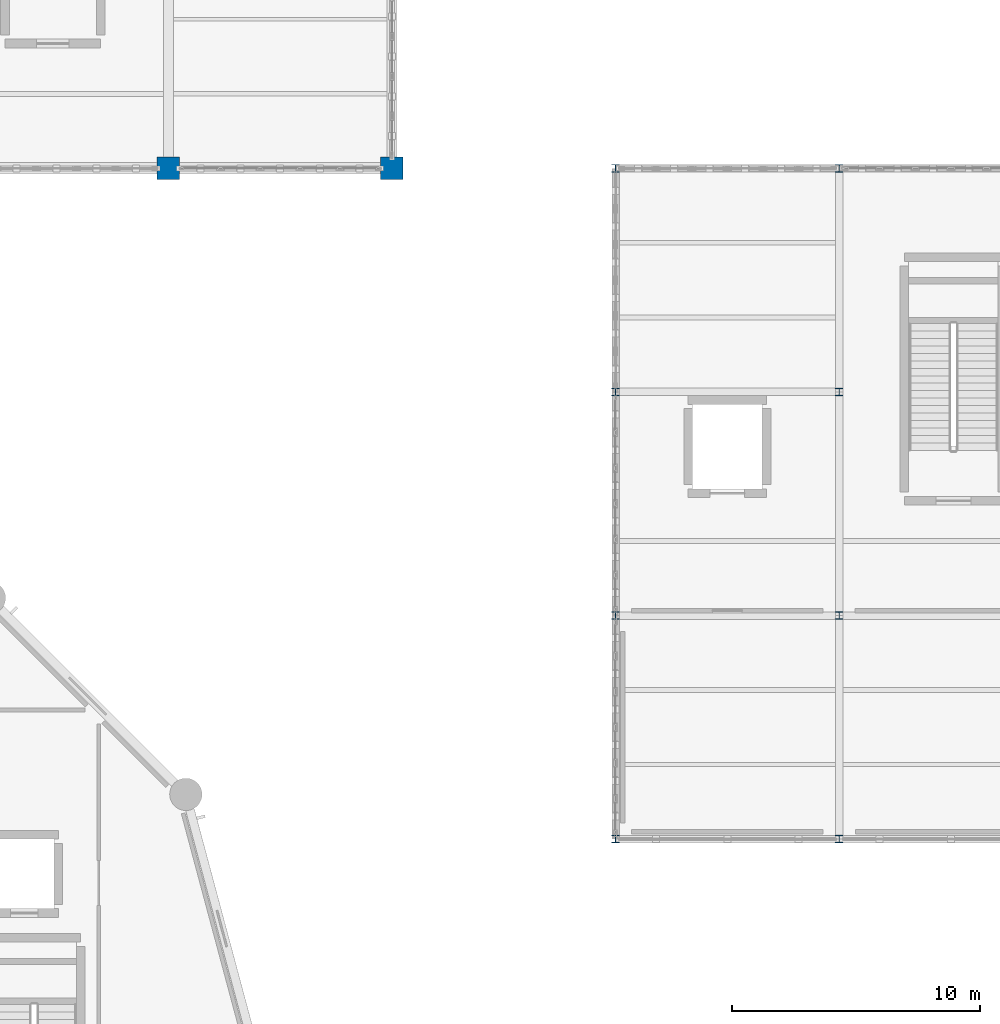
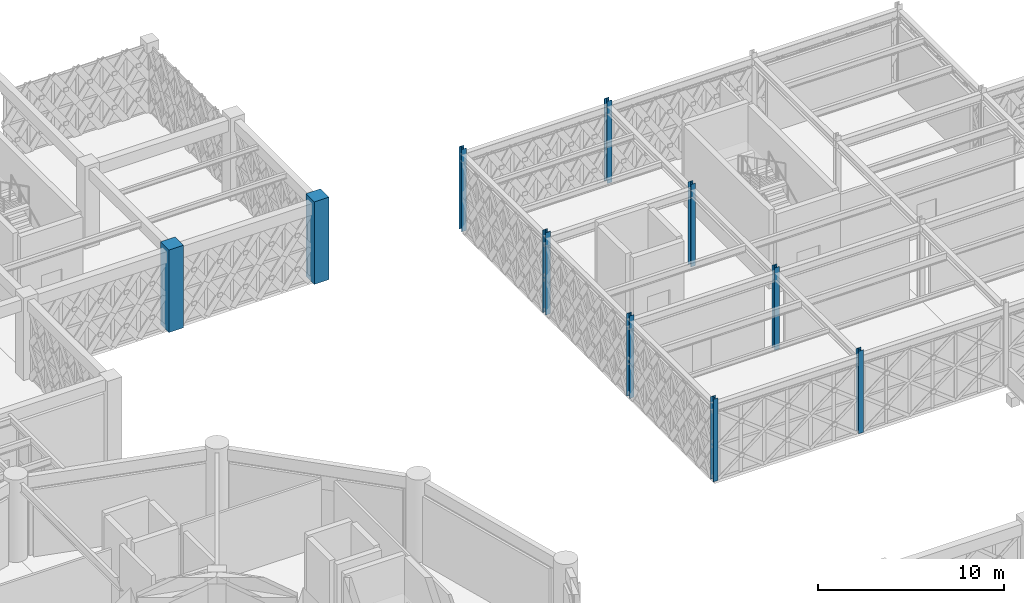
# One storey, part 6 of 155: 10 columns.
"""IFC4 building model written with IfcOpenShell, lengths in metres."""

from ifc_helpers import new_model, si_unit, direction, frame, origin, origin_2d, place, context, subcontext, project, spatial, rectangle, i_section, extrude, material, material_profile, profile_set, type_object, element, save


model = new_model("IFC4")

# Units and contexts
model_context = context("Model", 3, precision=1e-05, world=origin(), true_north=direction((0.0, 1.0)))
body_context = subcontext(model_context, "Body", "Model", "MODEL_VIEW")
ifc_project = project(units=[si_unit("LENGTHUNIT", "METRE"), si_unit("AREAUNIT", "SQUARE_METRE"), si_unit("VOLUMEUNIT", "CUBIC_METRE"), si_unit("PLANEANGLEUNIT", "RADIAN"), si_unit("MASSUNIT", "GRAM", prefix="KILO")], contexts=[model_context])

# Site, building, storey
site_placement = place(None, origin())
site = spatial("IfcSite", under=ifc_project, at=site_placement, CompositionType="ELEMENT")
building_placement = place(site_placement, origin())
building = spatial("IfcBuilding", under=site, at=building_placement, Name="Haizhuo Lancet Aquarium", CompositionType="ELEMENT")
storey_placement = place(building_placement, frame((0.0, 0.0, 10.800048828125)))
storey = spatial("IfcBuildingStorey", under=building, at=storey_placement, Name="L02", CompositionType="ELEMENT", Elevation=10.800048828125)

# Columns
ifc_material_1 = material(Name="Concrete C40/50", Category="concrete")
ifc_material_profile_1 = material_profile(ifc_material_1, rectangle(XDim=0.89990234375, YDim=0.89990234375, at=origin_2d()), Name="RC-COL 900x900")
ifc_profile_set_1 = profile_set([ifc_material_profile_1], Name="Concrete C40/50")
column_type_1 = type_object("IfcColumnType", Name="COL-RC-900", PredefinedType="COLUMN", material=ifc_profile_set_1)
for number, where, z_axis, x_axis, name in (
    (1, (18.0, 36.0, 0.0), (0.0, 0.0, 1.0), (1.0, 0.0, 0.0), "L02 column V5-COL-103"),
    (2, (27.0, 36.0, 0.0), (0.0, 0.0, 1.0), (1.0, 0.0, 0.0), "L02 column V5-COL-106"),
):
    element("IfcColumn", number, at=place(storey_placement, frame(where, z_axis=z_axis, x_axis=x_axis)), inside=storey, type_object=column_type_1, Name=name, PredefinedType="COLUMN", context=body_context, shape_type="SweptSolid", body=[
        extrude(rectangle(XDim=0.89990234375, YDim=0.89990234375, at=origin_2d()), origin(), (0.0, 0.0, 1.0), 5.39990234375),
    ])
ifc_material_2 = material(Name="Steel S355", Category="steel")
ifc_material_profile_2 = material_profile(ifc_material_2, i_section(OverallWidth=0.300048828125, OverallDepth=0.300048828125, WebThickness=0.010009765625, FlangeThickness=0.014892578125, FilletRadius=0.01806640625, at=origin_2d()), Name="HW 300x300x10x15")
ifc_profile_set_2 = profile_set([ifc_material_profile_2], Name="Steel S355")
column_type_2 = type_object("IfcColumnType", Name="COL-ST-HW300", PredefinedType="COLUMN", material=ifc_profile_set_2)
for number, where, z_axis, x_axis, name in (
    (3, (36.0, 9.0, 0.0), (0.0, 0.0, 1.0), (1.0, 0.0, 0.0), "L02 column V7-COL-128"),
    (4, (36.0, 18.0, 0.0), (0.0, 0.0, 1.0), (1.0, 0.0, 0.0), "L02 column V7-COL-129"),
    (5, (36.0, 27.0, 0.0), (0.0, 0.0, 1.0), (1.0, 0.0, 0.0), "L02 column V7-COL-130"),
    (6, (36.0, 36.0, 0.0), (0.0, 0.0, 1.0), (1.0, 0.0, 0.0), "L02 column V7-COL-131"),
    (7, (45.0, 9.0, 0.0), (0.0, 0.0, 1.0), (1.0, 0.0, 0.0), "L02 column V7-COL-132"),
    (8, (45.0, 18.0, 0.0), (0.0, 0.0, 1.0), (1.0, 0.0, 0.0), "L02 column V7-COL-133"),
    (9, (45.0, 27.0, 0.0), (0.0, 0.0, 1.0), (1.0, 0.0, 0.0), "L02 column V7-COL-134"),
    (10, (45.0, 36.0, 0.0), (0.0, 0.0, 1.0), (1.0, 0.0, 0.0), "L02 column V7-COL-135"),
):
    element("IfcColumn", number, at=place(storey_placement, frame(where, z_axis=z_axis, x_axis=x_axis)), inside=storey, type_object=column_type_2, Name=name, PredefinedType="COLUMN", context=body_context, shape_type="SweptSolid", body=[
        extrude(i_section(OverallWidth=0.300048828125, OverallDepth=0.300048828125, WebThickness=0.010009765625, FlangeThickness=0.014892578125, FilletRadius=0.01806640625, at=origin_2d()), origin(), (0.0, 0.0, 1.0), 5.39990234375),
    ])

save(model, "model.ifc")
